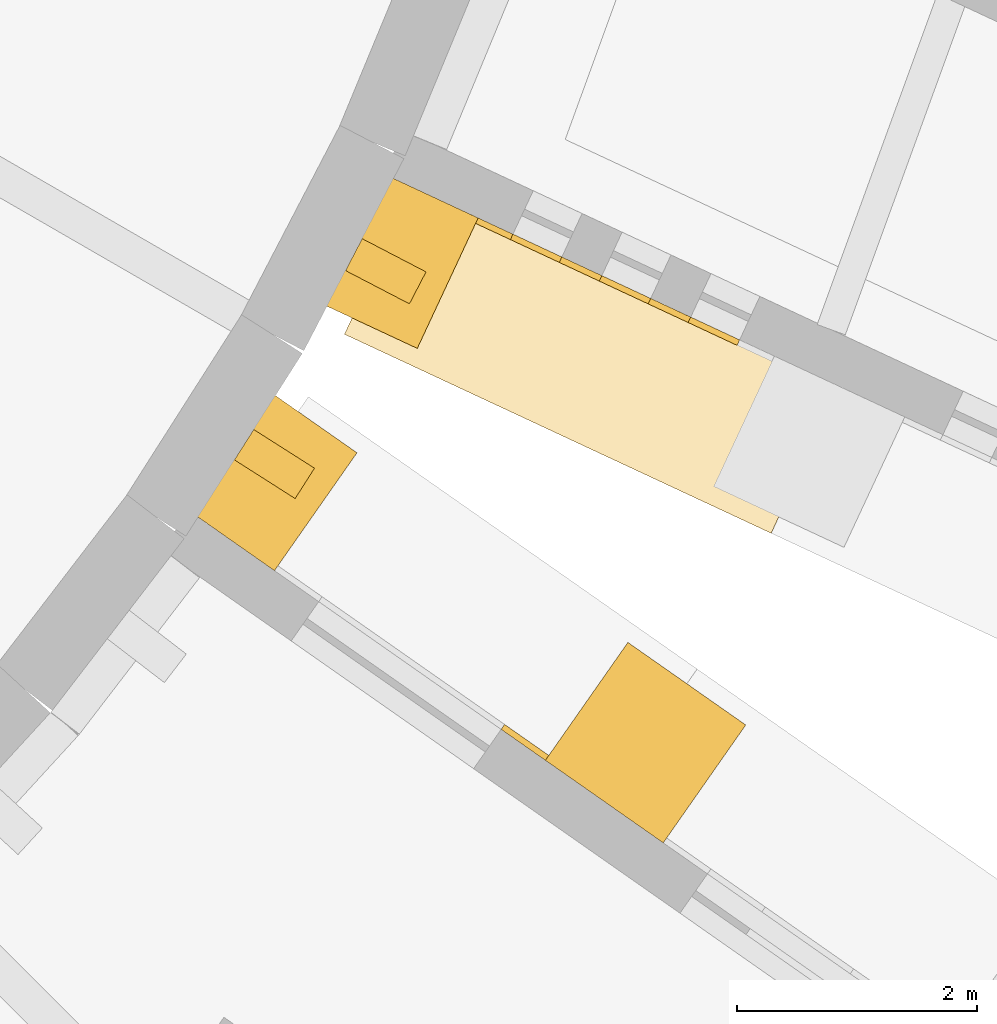
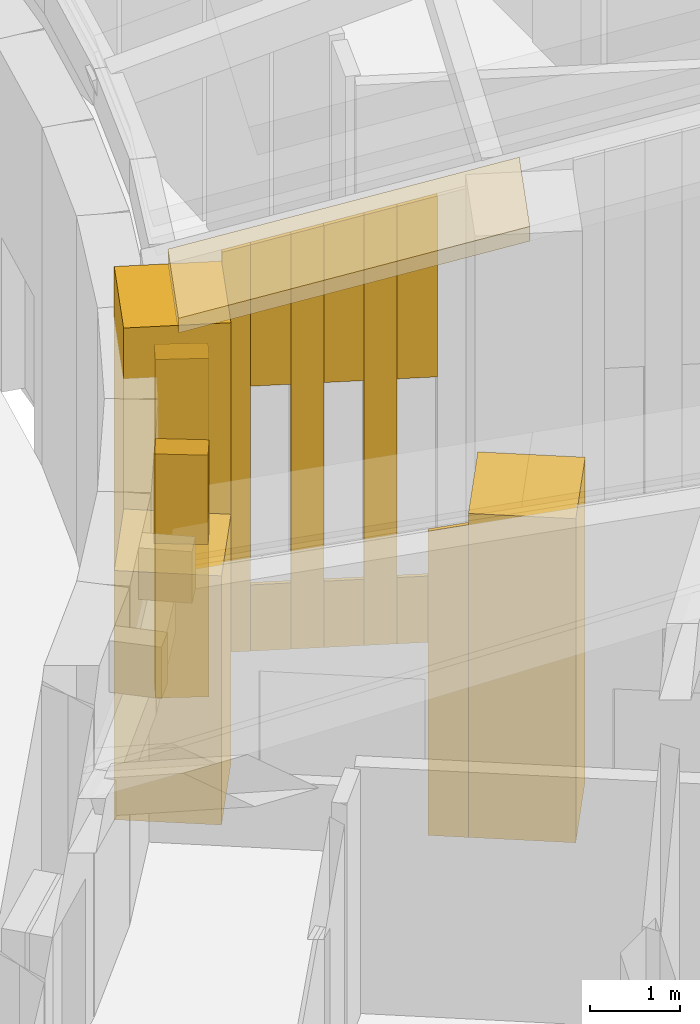
# One storey, part 37 of 50: 16 coverings.
"""IFC4 building model written with IfcOpenShell, lengths in metres."""

from ifc_helpers import new_model, si_unit, direction, frame, origin, origin_2d, place, context, subcontext, project, spatial, polyline, rectangle, outline, extrude, material, layer, layer_set, type_object, element, save


model = new_model("IFC4")

# Units and contexts
model_context = context("Model", 3, precision=1e-05, world=origin(), true_north=direction((0.0, 1.0)))
body_context = subcontext(model_context, "Body", "Model", "MODEL_VIEW")
ifc_project = project(units=[si_unit("LENGTHUNIT", "METRE"), si_unit("AREAUNIT", "SQUARE_METRE"), si_unit("VOLUMEUNIT", "CUBIC_METRE"), si_unit("PLANEANGLEUNIT", "RADIAN"), si_unit("MASSUNIT", "GRAM", prefix="KILO")], contexts=[model_context])

# Site, building, storey
site_placement = place(None, origin())
site = spatial("IfcSite", under=ifc_project, at=site_placement, CompositionType="ELEMENT")
building_placement = place(site_placement, origin())
building = spatial("IfcBuilding", under=site, at=building_placement, Name="Volute Hill Aquarium", CompositionType="ELEMENT")
storey_placement = place(building_placement, frame((0.0, 0.0, 9.199951171875)))
storey = spatial("IfcBuildingStorey", under=building, at=storey_placement, Name="L03", CompositionType="ELEMENT", Elevation=9.199951171875)

# Coverings
ifc_material_1 = material(Name="Precast pale concrete C40/50", Category="concrete")
covering_type_1 = type_object("IfcCoveringType", Name="Drum pier fin 300x600", PredefinedType="CLADDING", material=ifc_material_1)
for number, where, z_axis, x_axis, name in (
    (1, (17.947509765625, -11.433837890625, 0.0), (0.0, 0.0, 1.0), (0.537299608347, 0.843391445813, 0.0), "Drum pier fin DF 66 L03"),
    (2, (18.8759765625, -9.826171875, 0.0), (0.0, 0.0, 1.0), (0.461748613235, 0.887010833178, 0.0), "Drum pier fin DF 67 L03"),
):
    element("IfcCovering", number, at=place(storey_placement, frame(where, z_axis=z_axis, x_axis=x_axis)), inside=storey, type_object=covering_type_1, Name=name, PredefinedType="CLADDING", context=body_context, shape_type="SweptSolid", body=[
        extrude(rectangle(XDim=0.300048828125, YDim=0.60009765625, at=origin_2d()), origin(), (0.0, 0.0, 1.0), 4.60009765625),
    ])
ifc_material_2 = material(Name="Precast concrete C40/50", Category="concrete")
covering_type_2 = type_object("IfcCoveringType", Name="End wall precast coping C40/50 1350x200", PredefinedType="CLADDING", material=ifc_material_2)
covering_1_placement = place(storey_placement, frame((18.53125, -10.3515625, 5.28564453125), z_axis=(-0.422647164218, -0.906294309029, 0.0), x_axis=(0.8777575908, -0.409339166015, 0.248963971209)))
element("IfcCovering", 3, at=covering_1_placement, inside=storey, type_object=covering_type_2, Name="End wall coping EWC S4A L03 1", PredefinedType="CLADDING", context=body_context, shape_type="SweptSolid", body=[
    extrude(outline(polyline([(0.0, 0.0), (4.053909241768407, 0.0), (4.103689879566225, 0.1936552587321818), (0.04978063779781792, 0.19365525873218178), (0.0, 0.0)])), origin(), (0.0, 0.0, -1.0), 1.35009765625),
])
ifc_material_3 = material(Name="Precast concrete C40/50", Category="concrete")
covering_type_3 = type_object("IfcCoveringType", Name="End wall precast fin C40/50 1200x1200", PredefinedType="CLADDING", material=ifc_material_3)
covering_2_placement = place(storey_placement, frame((17.80029296875, -11.4873046875, 0.0), z_axis=(0.0, 0.0, 1.0), x_axis=(0.81915068408, -0.573578378926, 0.0)))
element("IfcCovering", 4, at=covering_2_placement, inside=storey, type_object=covering_type_3, Name="End wall fin EWF S3B L03 1", PredefinedType="CLADDING", context=body_context, shape_type="SweptSolid", body=[
    extrude(rectangle(XDim=1.199951171875, YDim=1.199951171875, at=origin_2d()), origin(), (0.0, 0.0, 1.0), 3.385498046875),
])
covering_3_placement = place(storey_placement, frame((21.042236328125, -13.757080078125, 0.0), z_axis=(0.0, 0.0, 1.0), x_axis=(0.81915068408, -0.573578378926, 0.0)))
element("IfcCovering", 5, at=covering_3_placement, inside=storey, type_object=covering_type_3, Name="End wall fin EWF S3B L03 2", PredefinedType="CLADDING", context=body_context, shape_type="SweptSolid", body=[
    extrude(rectangle(XDim=1.199951171875, YDim=1.199951171875, at=origin_2d()), origin(), (0.0, 0.0, 1.0), 4.40283203125),
])
covering_4_placement = place(storey_placement, frame((18.848388671875, -9.671875, 0.0), z_axis=(0.0, 0.0, 1.0), x_axis=(0.906306960471, -0.422620034311, 0.0)))
element("IfcCovering", 6, at=covering_4_placement, inside=storey, type_object=covering_type_3, Name="End wall fin EWF S4A L03 1", PredefinedType="CLADDING", context=body_context, shape_type="SweptSolid", body=[
    extrude(rectangle(XDim=1.199951171875, YDim=1.199951171875, at=origin_2d()), origin(), (0.0, 0.0, 1.0), 5.285400390625),
])
ifc_material_4 = material(Name="Precast concrete C40/50", Category="concrete")
ifc_layer = layer(ifc_material_4, 0.050048828125)
ifc_layer_set = layer_set([ifc_layer], Name="End wall precast infill panel C40/50 50")
covering_type_4 = type_object("IfcCoveringType", Name="End wall precast infill panel C40/50 50", PredefinedType="CLADDING", material=ifc_layer_set)
covering_5_placement = place(storey_placement, frame((19.837890625, -13.646484375, 0.0), z_axis=(-0.573462344363, -0.819231920519, 0.0), x_axis=(0.819231920519, -0.573462344363, 0.0)))
element("IfcCovering", 7, at=covering_5_placement, inside=storey, type_object=covering_type_4, Name="End wall panel EWP S3B L03 1", PredefinedType="CLADDING", context=body_context, shape_type="SweptSolid", body=[
    extrude(outline(polyline([(0.0, 0.0), (0.4499975336854954, 0.0), (0.4499975336854954, 4.248779296875), (0.0, 4.133056640625), (0.0, 0.0)])), origin(), (0.0, 0.0, -1.0), 0.050048828125),
])
covering_6_placement = place(storey_placement, frame((19.624755859375, -9.427001953125, 0.0), z_axis=(-0.422342839971, -0.906436167375, 0.0), x_axis=(0.906436167375, -0.422342839971, 0.0)))
element("IfcCovering", 8, at=covering_6_placement, inside=storey, type_object=covering_type_4, Name="End wall panel EWP S4A L03 1", PredefinedType="CLADDING", context=body_context, shape_type="SweptSolid", body=[
    extrude(outline(polyline([(0.0, 0.0), (0.3202467129767202, 0.0), (0.3202467129767202, 5.522216796875), (0.0, 5.439697265625), (0.0, 0.0)])), origin(), (0.0, 0.0, -1.0), 0.050048828125),
])
covering_7_placement = place(storey_placement, frame((19.9150390625, -9.562255859375, 0.0), z_axis=(-0.422736919649, -0.906252446488, 0.0), x_axis=(0.906252446488, -0.422736919649, 0.0)))
element("IfcCovering", 9, at=covering_7_placement, inside=storey, type_object=covering_type_4, Name="End wall panel EWP S4A L03 1", PredefinedType="CLADDING", context=body_context, shape_type="SweptSolid", body=[
    extrude(outline(polyline([(0.0, 0.0), (0.4498910268656508, 0.0), (0.4498910268656508, 0.900146484375), (0.0, 0.900146484375), (0.0, 0.0)])), origin(), (0.0, 0.0, -1.0), 0.050048828125),
])
covering_8_placement = place(storey_placement, frame((19.9150390625, -9.562255859375, 3.60009765625), z_axis=(-0.422736919649, -0.906252446488, 0.0), x_axis=(0.906252446488, -0.422736919649, 0.0)))
element("IfcCovering", 10, at=covering_8_placement, inside=storey, type_object=covering_type_4, Name="End wall panel EWP S4A L03 1", PredefinedType="CLADDING", context=body_context, shape_type="SweptSolid", body=[
    extrude(outline(polyline([(0.0, 0.0), (0.4498910268656508, 0.0), (0.4498910268656508, 2.03759765625), (0.0, 1.922119140625), (0.0, 0.0)])), origin(), (0.0, 0.0, -1.0), 0.050048828125),
])
covering_9_placement = place(storey_placement, frame((20.32275390625, -9.75244140625, 0.0), z_axis=(-0.422885465331, -0.906183139995, 0.0), x_axis=(0.906183139995, -0.422885465331, 0.0)))
element("IfcCovering", 11, at=covering_9_placement, inside=storey, type_object=covering_type_4, Name="End wall panel EWP S4A L03 1", PredefinedType="CLADDING", context=body_context, shape_type="SweptSolid", body=[
    extrude(outline(polyline([(0.0, 0.0), (0.36775342468492755, 0.0), (0.36775342468492755, 5.732421875), (0.0, 5.6376953125), (0.0, 0.0)])), origin(), (0.0, 0.0, -1.0), 0.050048828125),
])
covering_10_placement = place(storey_placement, frame((20.656005859375, -9.907958984375, 0.0), z_axis=(-0.422529111883, -0.90634935296, 0.0), x_axis=(0.90634935296, -0.422529111883, 0.0)))
element("IfcCovering", 12, at=covering_10_placement, inside=storey, type_object=covering_type_4, Name="End wall panel EWP S4A L03 1", PredefinedType="CLADDING", context=body_context, shape_type="SweptSolid", body=[
    extrude(outline(polyline([(0.0, 0.0), (0.4501122917366558, 0.0), (0.4501122917366558, 0.900146484375), (0.0, 0.900146484375), (0.0, 0.0)])), origin(), (0.0, 0.0, -1.0), 0.050048828125),
])
covering_11_placement = place(storey_placement, frame((20.656005859375, -9.907958984375, 3.60009765625), z_axis=(-0.422529111883, -0.90634935296, 0.0), x_axis=(0.90634935296, -0.422529111883, 0.0)))
element("IfcCovering", 13, at=covering_11_placement, inside=storey, type_object=covering_type_4, Name="End wall panel EWP S4A L03 1", PredefinedType="CLADDING", context=body_context, shape_type="SweptSolid", body=[
    extrude(outline(polyline([(0.0, 0.0), (0.4501122917366558, 0.0), (0.4501122917366558, 2.248046875), (0.0, 2.13232421875), (0.0, 0.0)])), origin(), (0.0, 0.0, -1.0), 0.050048828125),
])
covering_12_placement = place(storey_placement, frame((21.06396484375, -10.09814453125, 0.0), z_axis=(-0.422885465331, -0.906183139995, 0.0), x_axis=(0.906183139995, -0.422885465331, 0.0)))
element("IfcCovering", 14, at=covering_12_placement, inside=storey, type_object=covering_type_4, Name="End wall panel EWP S4A L03 1", PredefinedType="CLADDING", context=body_context, shape_type="SweptSolid", body=[
    extrude(outline(polyline([(0.0, 0.0), (0.36775342468492755, 0.0), (0.36775342468492755, 5.942626953125001), (0.0, 5.848144531250001), (0.0, 0.0)])), origin(), (0.0, 0.0, -1.0), 0.050048828125),
])
covering_13_placement = place(storey_placement, frame((21.397216796875, -10.253662109375, 0.0), z_axis=(-0.422529111883, -0.90634935296, 0.0), x_axis=(0.90634935296, -0.422529111883, 0.0)))
element("IfcCovering", 15, at=covering_13_placement, inside=storey, type_object=covering_type_4, Name="End wall panel EWP S4A L03 1", PredefinedType="CLADDING", context=body_context, shape_type="SweptSolid", body=[
    extrude(outline(polyline([(0.0, 0.0), (0.4501122917366558, 0.0), (0.4501122917366558, 0.900146484375), (0.0, 0.900146484375), (0.0, 0.0)])), origin(), (0.0, 0.0, -1.0), 0.050048828125),
])
covering_14_placement = place(storey_placement, frame((21.397216796875, -10.253662109375, 3.60009765625), z_axis=(-0.422529111883, -0.90634935296, 0.0), x_axis=(0.90634935296, -0.422529111883, 0.0)))
element("IfcCovering", 16, at=covering_14_placement, inside=storey, type_object=covering_type_4, Name="End wall panel EWP S4A L03 1", PredefinedType="CLADDING", context=body_context, shape_type="SweptSolid", body=[
    extrude(outline(polyline([(0.0, 0.0), (0.4501122917366558, 0.0), (0.4501122917366558, 2.458251953125), (0.0, 2.342529296875), (0.0, 0.0)])), origin(), (0.0, 0.0, -1.0), 0.050048828125),
])

save(model, "model.ifc")
